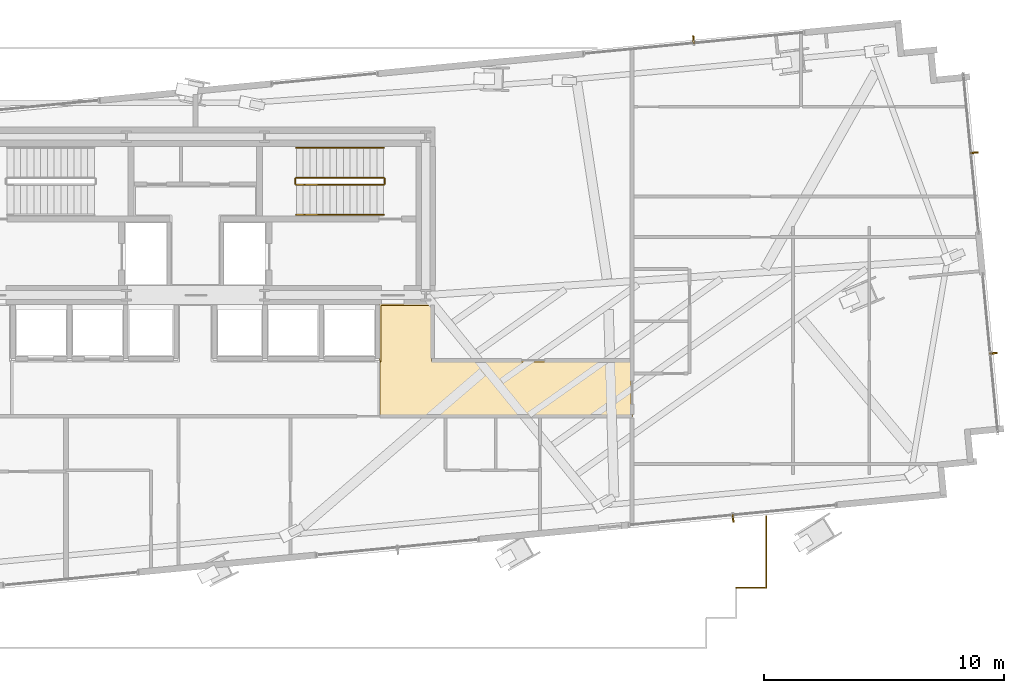
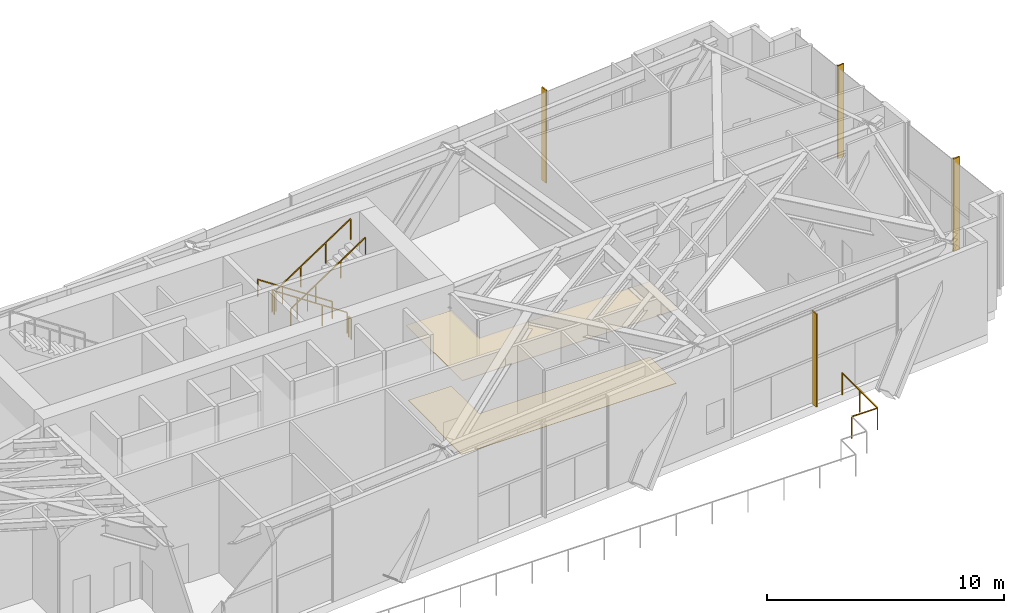
# One storey, part 27 of 28: 7 railings, 4 shading devices, 2 coverings.
"""IFC4 building model written with IfcOpenShell, lengths in metres."""

from ifc_helpers import new_model, si_unit, direction, frame, origin, origin_2d, place, context, subcontext, project, spatial, polyline, rectangle, outline, extrude, source, transform, mapped, material, layer, layer_set, type_object, type_shapes, element, save


model = new_model("IFC4")

# Units and contexts
model_context = context("Model", 3, precision=1e-05, world=origin(), true_north=direction((0.0, 1.0)))
body_context = subcontext(model_context, "Body", "Model", "MODEL_VIEW")
ifc_project = project(units=[si_unit("LENGTHUNIT", "METRE"), si_unit("AREAUNIT", "SQUARE_METRE"), si_unit("VOLUMEUNIT", "CUBIC_METRE"), si_unit("PLANEANGLEUNIT", "RADIAN"), si_unit("MASSUNIT", "GRAM", prefix="KILO")], contexts=[model_context])

# Site, building, storey
site_placement = place(None, origin())
site = spatial("IfcSite", under=ifc_project, at=site_placement, CompositionType="ELEMENT")
building_placement = place(site_placement, origin())
building = spatial("IfcBuilding", under=site, at=building_placement, Name="Astriad Promenade Condominiums", CompositionType="ELEMENT")
storey_placement = place(building_placement, frame((0.0, 0.0, 72.60009765625)))
storey = spatial("IfcBuildingStorey", under=building, at=storey_placement, Name="L20", CompositionType="ELEMENT", Elevation=72.60009765625)

# Coverings
ifc_material_1 = material(Name="Mineral-Fibre Acoustic Ceiling Tile")
ifc_layer_1 = layer(ifc_material_1, 0.02490234375)
ifc_layer_set_1 = layer_set([ifc_layer_1], Name="Mineral-Fibre Acoustic Ceiling Tile")
covering_type_1 = type_object("IfcCoveringType", Name="COV-CEIL-ACOUSTIC-25", PredefinedType="CEILING", material=ifc_layer_set_1)
covering_1_placement = place(storey_placement, frame((0.0, 0.0, 3.8349609375)))
element("IfcCovering", 1, at=covering_1_placement, inside=storey, type_object=covering_type_1, Name="CEIL-L20-COR-1", PredefinedType="CEILING", context=body_context, shape_type="SweptSolid", body=[
    extrude(outline(polyline([(43.669921875, 17.0), (43.670166015625, 17.0029296875), (43.670654296875, 17.005859375), (43.67138671875, 17.0087890625), (43.67236328125, 17.011474609375), (43.673583984375, 17.01416015625), (43.675048828125, 17.0166015625), (43.6767578125, 17.01904296875), (43.6787109375, 17.021240234375), (43.680908203125, 17.023193359375), (43.683349609375, 17.02490234375), (43.685791015625, 17.026611328125), (43.6884765625, 17.027587890625), (43.69140625, 17.02880859375), (43.694091796875, 17.029296875), (43.697021484375, 17.02978515625), (43.699951171875, 17.030029296875), (45.8798828125, 17.030029296875), (45.8828125, 17.02978515625), (45.885986328125, 17.029296875), (45.888671875, 17.02880859375), (45.8916015625, 17.027587890625), (45.89404296875, 17.026611328125), (45.896728515625, 17.02490234375), (45.89892578125, 17.023193359375), (45.901123046875, 17.021240234375), (45.9033203125, 17.01904296875), (45.90478515625, 17.0166015625), (45.906494140625, 17.01416015625), (45.90771484375, 17.011474609375), (45.90869140625, 17.0087890625), (45.909423828125, 17.005859375), (45.909912109375, 17.0029296875), (45.909912109375, 17.0), (45.909912109375, 14.68994140625), (54.199951171875, 14.68994140625), (54.202880859375, 14.68994140625), (54.205810546875, 14.689453125), (54.208740234375, 14.688720703125), (54.21142578125, 14.687744140625), (54.214111328125, 14.6865234375), (54.216796875, 14.684814453125), (54.218994140625, 14.68310546875), (54.22119140625, 14.68115234375), (54.22314453125, 14.678955078125), (54.224853515625, 14.6767578125), (54.2265625, 14.674072265625), (54.227783203125, 14.67138671875), (54.228759765625, 14.668701171875), (54.2294921875, 14.666015625), (54.22998046875, 14.662841796875), (54.22998046875, 14.659912109375), (54.22998046875, 12.35009765625), (54.22998046875, 12.34716796875), (54.2294921875, 12.343994140625), (54.228759765625, 12.34130859375), (54.227783203125, 12.33837890625), (54.2265625, 12.3359375), (54.224853515625, 12.333251953125), (54.22314453125, 12.3310546875), (54.22119140625, 12.328857421875), (54.218994140625, 12.326904296875), (54.216796875, 12.3251953125), (54.214111328125, 12.323486328125), (54.21142578125, 12.322265625), (54.208740234375, 12.3212890625), (54.205810546875, 12.320556640625), (54.202880859375, 12.320068359375), (54.199951171875, 12.320068359375), (43.68994140625, 12.320068359375), (43.69091796875, 12.3212890625), (43.692138671875, 12.322998046875), (43.693603515625, 12.32568359375), (43.694580078125, 12.327392578125), (43.69580078125, 12.330078125), (43.696533203125, 12.331787109375), (43.697509765625, 12.334716796875), (43.697998046875, 12.33642578125), (43.69873046875, 12.33935546875), (43.69921875, 12.34130859375), (43.69970703125, 12.343994140625), (43.69970703125, 12.34619140625), (43.699951171875, 12.34912109375), (43.699951171875, 12.35009765625), (43.699951171875, 14.64990234375), (43.699951171875, 14.65087890625), (43.69970703125, 14.65380859375), (43.69970703125, 14.656005859375), (43.69921875, 14.65869140625), (43.69873046875, 14.66064453125), (43.697998046875, 14.66357421875), (43.697509765625, 14.665283203125), (43.696533203125, 14.668212890625), (43.69580078125, 14.669921875), (43.694580078125, 14.672607421875), (43.693603515625, 14.67431640625), (43.692138671875, 14.677001953125), (43.69091796875, 14.6787109375), (43.689208984375, 14.680908203125), (43.68798828125, 14.6826171875), (43.68603515625, 14.6845703125), (43.6845703125, 14.68603515625), (43.6826171875, 14.68798828125), (43.680908203125, 14.689208984375), (43.6787109375, 14.69091796875), (43.677001953125, 14.692138671875), (43.67431640625, 14.693603515625), (43.672607421875, 14.694580078125), (43.669921875, 14.69580078125), (43.669921875, 14.69580078125), (43.669921875, 17.0)])), origin(), (0.0, 0.0, 1.0), 0.02490234375),
])
ifc_material_2 = material(Name="Polished Lakefront Terrazzo Flooring")
ifc_layer_2 = layer(ifc_material_2, 0.02001953125)
ifc_layer_set_2 = layer_set([ifc_layer_2], Name="Polished Lakefront Terrazzo Flooring")
covering_type_2 = type_object("IfcCoveringType", Name="COV-FLOR-TERRAZZO-20", PredefinedType="FLOORING", material=ifc_layer_set_2)
covering_2_placement = place(storey_placement, origin())
element("IfcCovering", 2, at=covering_2_placement, inside=storey, type_object=covering_type_2, Name="FLR-L20-COR-1", PredefinedType="FLOORING", context=body_context, shape_type="SweptSolid", body=[
    extrude(outline(polyline([(43.699951171875, 12.389892578125), (43.699951171875, 14.610107421875), (43.703857421875, 14.610107421875), (43.707763671875, 14.61083984375), (43.711669921875, 14.61181640625), (43.71533203125, 14.613037109375), (43.718994140625, 14.61474609375), (43.72216796875, 14.61669921875), (43.725341796875, 14.619140625), (43.728271484375, 14.62158203125), (43.73095703125, 14.62451171875), (43.7333984375, 14.627685546875), (43.7353515625, 14.631103515625), (43.737060546875, 14.634765625), (43.73828125, 14.638427734375), (43.7392578125, 14.64208984375), (43.73974609375, 14.64599609375), (43.739990234375, 14.64990234375), (43.739990234375, 16.9599609375), (45.840087890625, 16.9599609375), (45.840087890625, 14.659912109375), (45.840087890625, 14.656005859375), (45.8408203125, 14.652099609375), (45.841796875, 14.6484375), (45.843017578125, 14.644775390625), (45.8447265625, 14.64111328125), (45.8466796875, 14.6376953125), (45.84912109375, 14.634521484375), (45.851806640625, 14.631591796875), (45.8544921875, 14.629150390625), (45.85791015625, 14.626708984375), (45.861083984375, 14.624755859375), (45.86474609375, 14.623046875), (45.868408203125, 14.62158203125), (45.872314453125, 14.620849609375), (45.876220703125, 14.6201171875), (45.8798828125, 14.6201171875), (54.159912109375, 14.6201171875), (54.159912109375, 12.389892578125), (43.699951171875, 12.389892578125)])), origin(), (0.0, 0.0, 1.0), 0.02001953125),
])

# Railing
ifc_material_3 = material(Name="Anodised Aluminium and Glass Terrace Guardrail", Category="aluminium")
railing_type_1 = type_object("IfcRailingType", Name="GRD-TERR-1150", PredefinedType="GUARDRAIL", material=ifc_material_3)
shared_shape_1 = source(origin(), body_context, "Body", "SweptSolid", [
    extrude(rectangle(XDim=0.048095703125, YDim=0.048095703125, at=origin_2d()), frame((0.0, 0.0, 1.1259765625), z_axis=(0.0, -1.0, 0.0), x_axis=(1.0, 0.0, 0.0)), (0.0, 0.0, 1.0), 2.987060546875),
    extrude(rectangle(XDim=0.048095703125, YDim=0.048095703125, at=origin_2d()), frame((0.0, -2.987060546875, 1.1259765625), z_axis=(-1.0, 0.0, 0.0), x_axis=(0.0, -1.0, 0.0)), (0.0, 0.0, 1.0), 1.25),
    extrude(rectangle(XDim=0.0419921875, YDim=0.0419921875, at=origin_2d()), origin(), (0.0, 0.0, 1.0), 1.101806640625),
    extrude(rectangle(XDim=0.0419921875, YDim=0.0419921875, at=origin_2d()), frame((0.0, -1.49365234375, 0.0)), (0.0, 0.0, 1.0), 1.101806640625),
    extrude(rectangle(XDim=0.0419921875, YDim=0.0419921875, at=origin_2d()), frame((0.0, -2.987060546875, 0.0)), (0.0, 0.0, 1.0), 1.101806640625),
    extrude(rectangle(XDim=0.0419921875, YDim=0.0419921875, at=origin_2d()), frame((-1.25, -2.987060546875, 0.0)), (0.0, 0.0, 1.0), 1.101806640625),
])
type_shapes(railing_type_1, [shared_shape_1])
railing_1_placement = place(storey_placement, frame((59.800048828125, 8.18701171875, 0.0)))
element("IfcRailing", 3, at=railing_1_placement, inside=storey, type_object=railing_type_1, Name="GRD-TSTEP-L20-02", PredefinedType="GUARDRAIL", context=body_context, shape_type="MappedRepresentation", body=[
    mapped(shared_shape_1, transform((0.0, 0.0, 0.0), scale=1.0)),
])

# Shading devices
ifc_material_4 = material(Name="Anodised aluminium 6063-T6 Black Fin", Category="aluminium")
shading_device_type = type_object("IfcShadingDeviceType", Name="FIN-BLACK-320", PredefinedType="USERDEFINED", material=ifc_material_4)
shared_shape_2 = source(origin(), body_context, "Body", "SweptSolid", [
    extrude(rectangle(XDim=0.06494140625, YDim=0.320068359375, at=origin_2d()), origin(), (0.0, 0.0, 1.0), 4.780029296875),
])
type_shapes(shading_device_type, [shared_shape_2])
for number, where, z_axis, x_axis, name in (
    (4, (56.77001953125, 28.048095703125, 0.0), (0.0, 0.0, 1.0), (0.995396198367, 0.09584575252, 0.0), "CW-L20-N-4-FIN-01"),
    (5, (68.47021484375, 23.337890625, 0.0), (0.0, 0.0, 1.0), (0.095828379565, -0.99539787104, 0.0), "CW-L20-E-1-FIN-01"),
    (6, (69.275390625, 14.9765625, 0.0), (0.0, 0.0, 1.0), (0.095828379565, -0.99539787104, 0.0), "CW-L20-E-2-FIN-01"),
    (7, (58.4150390625, 8.09375, 0.0), (0.0, 0.0, 1.0), (-0.995396198367, -0.09584575252, 0.0), "CW-L20-S-1-FIN-01"),
):
    element("IfcShadingDevice", number, at=place(storey_placement, frame(where, z_axis=z_axis, x_axis=x_axis)), inside=storey, type_object=shading_device_type, Name=name, ObjectType="FIN", PredefinedType="USERDEFINED", context=body_context, shape_type="MappedRepresentation", body=[
        mapped(shared_shape_2, transform((0.0, 0.0, 0.0), scale=1.0)),
    ])

# Railings
ifc_material_5 = material(Name="Painted Galvanised Steel Guardrail", Category="steel")
railing_type_2 = type_object("IfcRailingType", Name="GRD-STAIR-1100", PredefinedType="GUARDRAIL", material=ifc_material_5)
shared_shape_3 = source(origin(), body_context, "Body", "SweptSolid", [
    extrude(rectangle(XDim=0.048095703125, YDim=0.048095703125, at=origin_2d()), frame((0.0, 0.0, 1.076171875), z_axis=(0.833363587613, 0.0, 0.552725185641), x_axis=(0.0, 1.0, 0.0)), (0.0, 0.0, 1.0), 4.367919921875),
    extrude(rectangle(XDim=0.0419921875, YDim=0.0419921875, at=origin_2d()), origin(), (0.0, 0.0, 1.0), 1.052001953125),
    extrude(rectangle(XDim=0.0419921875, YDim=0.0419921875, at=origin_2d()), frame((1.21337890625, 0.0, 0.8046875)), (0.0, 0.0, 1.0), 1.052001953125),
    extrude(rectangle(XDim=0.0419921875, YDim=0.0419921875, at=origin_2d()), frame((2.4267578125, 0.0, 1.609619140625)), (0.0, 0.0, 1.0), 1.052001953125),
    extrude(rectangle(XDim=0.0419921875, YDim=0.0419921875, at=origin_2d()), frame((3.64013671875, 0.0, 2.414306640625)), (0.0, 0.0, 1.0), 1.052001953125),
])
railing_2_placement = place(storey_placement, frame((40.2099609375, 22.0, 2.78564453125)))
element("IfcRailing", 8, at=railing_2_placement, inside=storey, type_object=railing_type_2, Name="L20 ST-2 stair guard 3", PredefinedType="GUARDRAIL", context=body_context, shape_type="MappedRepresentation", body=[
    mapped(shared_shape_3, transform((0.0, 0.0, 0.0), scale=1.0)),
])
shared_shape_4 = source(origin(), body_context, "Body", "SweptSolid", [
    extrude(rectangle(XDim=0.048095703125, YDim=0.048095703125, at=origin_2d()), frame((0.0, 0.0, 1.076171875), z_axis=(-0.833363587613, 0.0, 0.552725185641), x_axis=(0.0, -1.0, 0.0)), (0.0, 0.0, 1.0), 4.367919921875),
    extrude(rectangle(XDim=0.0419921875, YDim=0.0419921875, at=origin_2d()), origin(), (0.0, 0.0, 1.0), 1.052001953125),
    extrude(rectangle(XDim=0.0419921875, YDim=0.0419921875, at=origin_2d()), frame((-1.21337890625, 0.0, 0.8046875)), (0.0, 0.0, 1.0), 1.052001953125),
    extrude(rectangle(XDim=0.0419921875, YDim=0.0419921875, at=origin_2d()), frame((-2.4267578125, 0.0, 1.609619140625)), (0.0, 0.0, 1.0), 1.052001953125),
    extrude(rectangle(XDim=0.0419921875, YDim=0.0419921875, at=origin_2d()), frame((-3.64013671875, 0.0, 2.414306640625)), (0.0, 0.0, 1.0), 1.052001953125),
])
railing_3_placement = place(storey_placement, frame((43.85009765625, 22.300048828125, 0.185546875)))
element("IfcRailing", 9, at=railing_3_placement, inside=storey, type_object=railing_type_2, Name="L20 ST-2 stair guard 1", PredefinedType="GUARDRAIL", context=body_context, shape_type="MappedRepresentation", body=[
    mapped(shared_shape_4, transform((0.0, 0.0, 0.0), scale=1.0)),
])
ifc_material_6 = material(Name="Brushed Stainless Steel Handrail", Category="steel")
railing_type_3 = type_object("IfcRailingType", Name="HRL-STAIR-920", PredefinedType="HANDRAIL", material=ifc_material_6)
shared_shape_5 = source(origin(), body_context, "Body", "SweptSolid", [
    extrude(rectangle(XDim=0.048095703125, YDim=0.048095703125, at=origin_2d()), frame((0.0, 0.0, 0.8759765625), z_axis=(0.833363587613, 0.0, 0.552725185641), x_axis=(0.0, 1.0, 0.0)), (0.0, 0.0, 1.0), 4.367919921875),
    extrude(rectangle(XDim=0.0419921875, YDim=0.0419921875, at=origin_2d()), origin(), (0.0, 0.0, 1.0), 0.851806640625),
    extrude(rectangle(XDim=0.0419921875, YDim=0.0419921875, at=origin_2d()), frame((1.21337890625, 0.0, 0.8046875)), (0.0, 0.0, 1.0), 0.851806640625),
    extrude(rectangle(XDim=0.0419921875, YDim=0.0419921875, at=origin_2d()), frame((2.4267578125, 0.0, 1.609619140625)), (0.0, 0.0, 1.0), 0.851806640625),
    extrude(rectangle(XDim=0.0419921875, YDim=0.0419921875, at=origin_2d()), frame((3.64013671875, 0.0, 2.414306640625)), (0.0, 0.0, 1.0), 0.851806640625),
])
railing_4_placement = place(storey_placement, frame((40.2099609375, 20.75, 2.78564453125)))
element("IfcRailing", 10, at=railing_4_placement, inside=storey, type_object=railing_type_3, Name="L20 ST-2 stair handrail 2", PredefinedType="HANDRAIL", context=body_context, shape_type="MappedRepresentation", body=[
    mapped(shared_shape_5, transform((0.0, 0.0, 0.0), scale=1.0)),
])
shared_shape_6 = source(origin(), body_context, "Body", "SweptSolid", [
    extrude(rectangle(XDim=0.048095703125, YDim=0.048095703125, at=origin_2d()), frame((0.0, 0.0, 0.8759765625), z_axis=(-0.833363587613, 0.0, 0.552725185641), x_axis=(0.0, -1.0, 0.0)), (0.0, 0.0, 1.0), 4.367919921875),
    extrude(rectangle(XDim=0.0419921875, YDim=0.0419921875, at=origin_2d()), origin(), (0.0, 0.0, 1.0), 0.851806640625),
    extrude(rectangle(XDim=0.0419921875, YDim=0.0419921875, at=origin_2d()), frame((-1.21337890625, 0.0, 0.8046875)), (0.0, 0.0, 1.0), 0.851806640625),
    extrude(rectangle(XDim=0.0419921875, YDim=0.0419921875, at=origin_2d()), frame((-2.4267578125, 0.0, 1.609619140625)), (0.0, 0.0, 1.0), 0.851806640625),
    extrude(rectangle(XDim=0.0419921875, YDim=0.0419921875, at=origin_2d()), frame((-3.64013671875, 0.0, 2.414306640625)), (0.0, 0.0, 1.0), 0.851806640625),
])
type_shapes(railing_type_3, [shared_shape_5, shared_shape_6])
railing_5_placement = place(storey_placement, frame((43.85009765625, 23.550048828125, 0.185546875)))
element("IfcRailing", 11, at=railing_5_placement, inside=storey, type_object=railing_type_3, Name="L20 ST-2 stair handrail 1", PredefinedType="HANDRAIL", context=body_context, shape_type="MappedRepresentation", body=[
    mapped(shared_shape_6, transform((0.0, 0.0, 0.0), scale=1.0)),
])
shared_shape_7 = source(origin(), body_context, "Body", "SweptSolid", [
    extrude(rectangle(XDim=0.048095703125, YDim=0.048095703125, at=origin_2d()), frame((0.0, 0.0, 1.076171875), z_axis=(0.0, -1.0, 0.0), x_axis=(1.0, 0.0, 0.0)), (0.0, 0.0, 1.0), 0.199951171875),
    extrude(rectangle(XDim=0.0419921875, YDim=0.0419921875, at=origin_2d()), origin(), (0.0, 0.0, 1.0), 1.052001953125),
    extrude(rectangle(XDim=0.0419921875, YDim=0.0419921875, at=origin_2d()), frame((0.0, -0.199951171875, 0.0)), (0.0, 0.0, 1.0), 1.052001953125),
])
type_shapes(railing_type_2, [shared_shape_3, shared_shape_4, shared_shape_7])
for number, where, name in (
    (12, (40.159912109375, 22.25, 2.599853515625), "L20 ST-2 stair guard 2"),
    (13, (43.89990234375, 22.25, 0.0), "L20 ST-2 stair guard 4"),
):
    element("IfcRailing", number, at=place(storey_placement, frame(where)), inside=storey, type_object=railing_type_2, Name=name, PredefinedType="GUARDRAIL", context=body_context, shape_type="MappedRepresentation", body=[
        mapped(shared_shape_7, transform((0.0, 0.0, 0.0), scale=1.0)),
    ])

save(model, "model.ifc")
